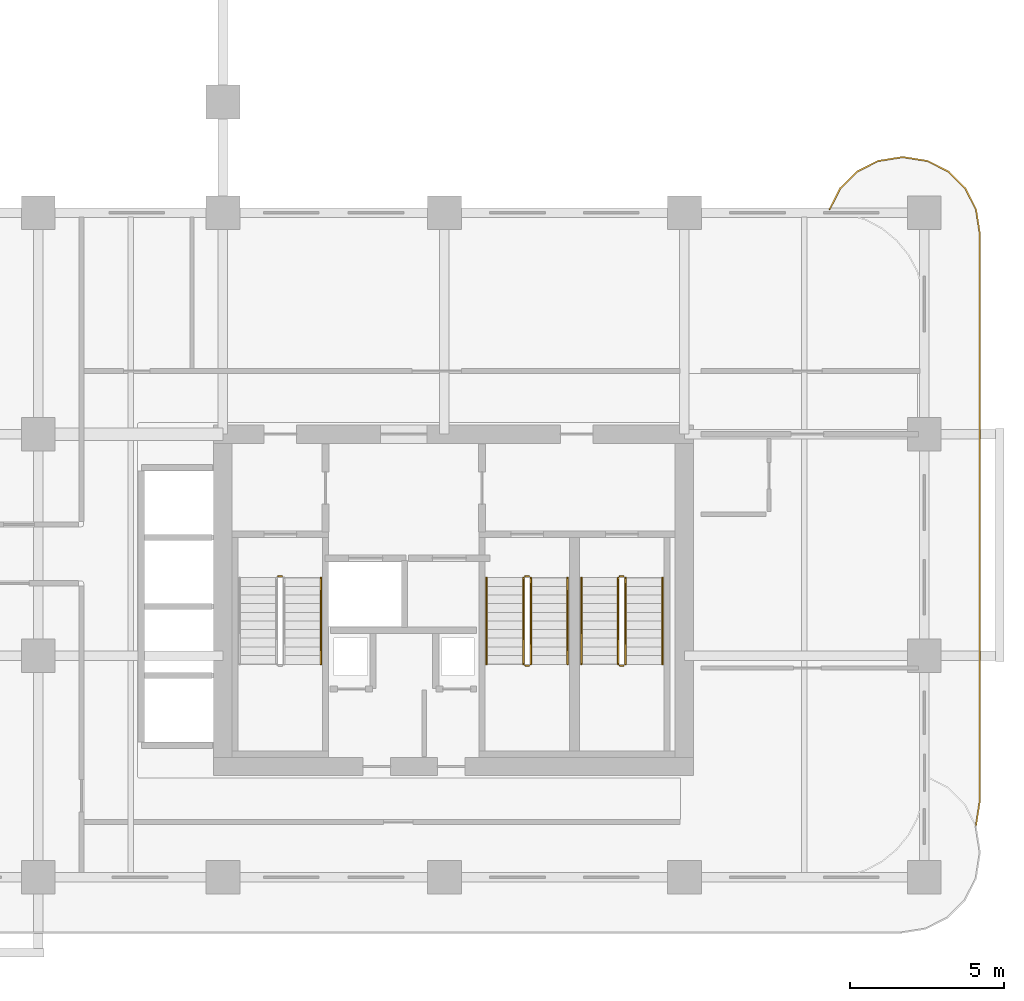
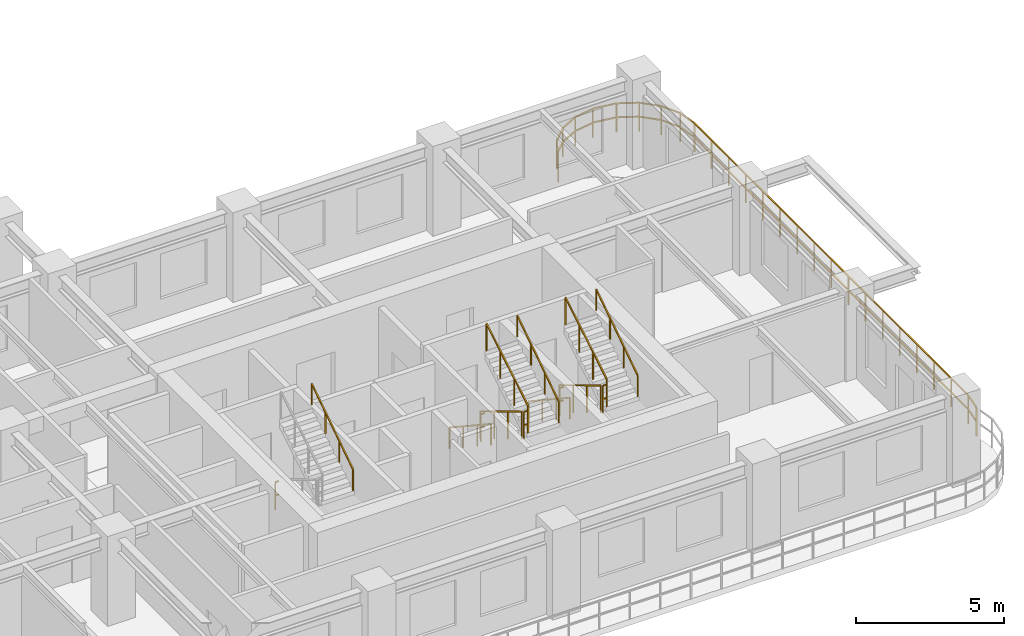
# One storey, part 16 of 18: 15 railings.
"""IFC4 building model written with IfcOpenShell, lengths in metres."""

from ifc_helpers import new_model, si_unit, derived_unit, direction, frame, origin, origin_2d, place, context, subcontext, project, spatial, rectangle, extrude, material, type_object, element, save


model = new_model("IFC4")

# Units and contexts
model_context = context("Model", 3, precision=1e-05, world=origin(), true_north=direction((0.0, 1.0)))
body_context = subcontext(model_context, "Body", "Model", "MODEL_VIEW")
ifc_project = project(units=[si_unit("LENGTHUNIT", "METRE"), si_unit("AREAUNIT", "SQUARE_METRE"), si_unit("VOLUMEUNIT", "CUBIC_METRE"), si_unit("PLANEANGLEUNIT", "RADIAN"), si_unit("MASSUNIT", "GRAM", prefix="KILO"), si_unit("THERMODYNAMICTEMPERATUREUNIT", "KELVIN"), si_unit("POWERUNIT", "WATT"), derived_unit("THERMALTRANSMITTANCEUNIT", [(si_unit("POWERUNIT", "WATT"), 1), (si_unit("AREAUNIT", "SQUARE_METRE"), -1), (si_unit("THERMODYNAMICTEMPERATUREUNIT", "KELVIN"), -1)])], contexts=[model_context])

# Site, building, storey
site_placement = place(None, origin())
site = spatial("IfcSite", under=ifc_project, at=site_placement, CompositionType="ELEMENT")
building_placement = place(site_placement, origin())
building = spatial("IfcBuilding", under=site, at=building_placement, Name="Zahravan Archway Hotel and Residences", CompositionType="ELEMENT")
storey_placement = place(building_placement, frame((0.0, 0.0, 58.300048828125)))
storey = spatial("IfcBuildingStorey", under=building, at=storey_placement, Name="L13", CompositionType="ELEMENT", Elevation=58.300048828125)

# Railings
ifc_material_1 = material(Name="Bronze & Laminated Glass Balustrade", Category="glass")
railing_type_1 = type_object("IfcRailingType", Name="RL-BAL-1200", PredefinedType="BALUSTRADE", material=ifc_material_1)
railing_1_placement = place(storey_placement, frame((54.52001953125, 21.70703125, 0.0)))
element("IfcRailing", 1, at=railing_1_placement, inside=storey, type_object=railing_type_1, Name="L13 Balustrade RL-SLB-BAL-L13-EA-1", PredefinedType="BALUSTRADE", context=body_context, shape_type="SweptSolid", body=[
    extrude(rectangle(XDim=0.048095703125, YDim=0.048095703125, at=origin_2d()), frame((0.0, 0.0, 1.17578125), z_axis=(0.453825591531, 0.891090529897, 0.0), x_axis=(-0.891090529897, 0.453825591531, 0.0)), (0.0, 0.0, 1.0), 0.7666015625),
    extrude(rectangle(XDim=0.048095703125, YDim=0.048095703125, at=origin_2d()), frame((0.0, 0.0, 0.60009765625), z_axis=(0.453825591531, 0.891090529897, 0.0), x_axis=(-0.891090529897, 0.453825591531, 0.0)), (0.0, 0.0, 1.0), 0.7666015625),
    extrude(rectangle(XDim=0.048095703125, YDim=0.048095703125, at=origin_2d()), frame((0.347900390625, 0.68310546875, 1.17578125), z_axis=(0.707106781187, 0.707106781187, 0.0), x_axis=(-0.707106781187, 0.707106781187, 0.0)), (0.0, 0.0, 1.0), 0.7666015625),
    extrude(rectangle(XDim=0.048095703125, YDim=0.048095703125, at=origin_2d()), frame((0.347900390625, 0.68310546875, 0.60009765625), z_axis=(0.707106781187, 0.707106781187, 0.0), x_axis=(-0.707106781187, 0.707106781187, 0.0)), (0.0, 0.0, 1.0), 0.7666015625),
    extrude(rectangle(XDim=0.048095703125, YDim=0.048095703125, at=origin_2d()), frame((0.889892578125, 1.22509765625, 1.17578125), z_axis=(0.891090529897, 0.453825591531, 0.0), x_axis=(-0.453825591531, 0.891090529897, 0.0)), (0.0, 0.0, 1.0), 0.7666015625),
    extrude(rectangle(XDim=0.048095703125, YDim=0.048095703125, at=origin_2d()), frame((0.889892578125, 1.22509765625, 0.60009765625), z_axis=(0.891090529897, 0.453825591531, 0.0), x_axis=(-0.453825591531, 0.891090529897, 0.0)), (0.0, 0.0, 1.0), 0.7666015625),
    extrude(rectangle(XDim=0.048095703125, YDim=0.048095703125, at=origin_2d()), frame((1.572998046875, 1.572998046875, 1.17578125), z_axis=(0.987695728695, 0.156387811283, 0.0), x_axis=(-0.156387811283, 0.987695728695, 0.0)), (0.0, 0.0, 1.0), 0.7666015625),
    extrude(rectangle(XDim=0.048095703125, YDim=0.048095703125, at=origin_2d()), frame((1.572998046875, 1.572998046875, 0.60009765625), z_axis=(0.987695728695, 0.156387811283, 0.0), x_axis=(-0.156387811283, 0.987695728695, 0.0)), (0.0, 0.0, 1.0), 0.7666015625),
    extrude(rectangle(XDim=0.048095703125, YDim=0.048095703125, at=origin_2d()), frame((2.330078125, 1.69287109375, 1.17578125), z_axis=(1.0, 0.0, 0.0), x_axis=(0.0, 1.0, 0.0)), (0.0, 0.0, 1.0), 0.099853515625),
    extrude(rectangle(XDim=0.048095703125, YDim=0.048095703125, at=origin_2d()), frame((2.330078125, 1.69287109375, 0.60009765625), z_axis=(1.0, 0.0, 0.0), x_axis=(0.0, 1.0, 0.0)), (0.0, 0.0, 1.0), 0.099853515625),
    extrude(rectangle(XDim=0.048095703125, YDim=0.048095703125, at=origin_2d()), frame((2.429931640625, 1.69287109375, 1.17578125), z_axis=(0.987695728695, -0.156387811283, 0.0), x_axis=(0.156387811283, 0.987695728695, 0.0)), (0.0, 0.0, 1.0), 0.7666015625),
    extrude(rectangle(XDim=0.048095703125, YDim=0.048095703125, at=origin_2d()), frame((2.429931640625, 1.69287109375, 0.60009765625), z_axis=(0.987695728695, -0.156387811283, 0.0), x_axis=(0.156387811283, 0.987695728695, 0.0)), (0.0, 0.0, 1.0), 0.7666015625),
    extrude(rectangle(XDim=0.048095703125, YDim=0.048095703125, at=origin_2d()), frame((3.18701171875, 1.572998046875, 1.17578125), z_axis=(0.891090529897, -0.453825591531, 0.0), x_axis=(0.453825591531, 0.891090529897, 0.0)), (0.0, 0.0, 1.0), 0.7666015625),
    extrude(rectangle(XDim=0.048095703125, YDim=0.048095703125, at=origin_2d()), frame((3.18701171875, 1.572998046875, 0.60009765625), z_axis=(0.891090529897, -0.453825591531, 0.0), x_axis=(0.453825591531, 0.891090529897, 0.0)), (0.0, 0.0, 1.0), 0.7666015625),
    extrude(rectangle(XDim=0.048095703125, YDim=0.048095703125, at=origin_2d()), frame((3.8701171875, 1.22509765625, 1.17578125), z_axis=(0.707106781187, -0.707106781187, 0.0), x_axis=(0.707106781187, 0.707106781187, 0.0)), (0.0, 0.0, 1.0), 0.7666015625),
    extrude(rectangle(XDim=0.048095703125, YDim=0.048095703125, at=origin_2d()), frame((3.8701171875, 1.22509765625, 0.60009765625), z_axis=(0.707106781187, -0.707106781187, 0.0), x_axis=(0.707106781187, 0.707106781187, 0.0)), (0.0, 0.0, 1.0), 0.7666015625),
    extrude(rectangle(XDim=0.048095703125, YDim=0.048095703125, at=origin_2d()), frame((4.412109375, 0.68310546875, 1.17578125), z_axis=(0.453825591531, -0.891090529897, 0.0), x_axis=(0.891090529897, 0.453825591531, 0.0)), (0.0, 0.0, 1.0), 0.7666015625),
    extrude(rectangle(XDim=0.048095703125, YDim=0.048095703125, at=origin_2d()), frame((4.412109375, 0.68310546875, 0.60009765625), z_axis=(0.453825591531, -0.891090529897, 0.0), x_axis=(0.891090529897, 0.453825591531, 0.0)), (0.0, 0.0, 1.0), 0.7666015625),
    extrude(rectangle(XDim=0.048095703125, YDim=0.048095703125, at=origin_2d()), frame((4.760009765625, 0.0, 1.17578125), z_axis=(0.156387811283, -0.987695728695, 0.0), x_axis=(0.987695728695, 0.156387811283, 0.0)), (0.0, 0.0, 1.0), 0.7666015625),
    extrude(rectangle(XDim=0.048095703125, YDim=0.048095703125, at=origin_2d()), frame((4.760009765625, 0.0, 0.60009765625), z_axis=(0.156387811283, -0.987695728695, 0.0), x_axis=(0.987695728695, 0.156387811283, 0.0)), (0.0, 0.0, 1.0), 0.7666015625),
    extrude(rectangle(XDim=0.048095703125, YDim=0.048095703125, at=origin_2d()), frame((4.8798828125, -0.757080078125, 1.17578125), z_axis=(0.0, -1.0, 0.0), x_axis=(1.0, 0.0, 0.0)), (0.0, 0.0, 1.0), 18.5),
    extrude(rectangle(XDim=0.048095703125, YDim=0.048095703125, at=origin_2d()), frame((4.8798828125, -0.757080078125, 0.60009765625), z_axis=(0.0, -1.0, 0.0), x_axis=(1.0, 0.0, 0.0)), (0.0, 0.0, 1.0), 18.5),
    extrude(rectangle(XDim=0.048095703125, YDim=0.048095703125, at=origin_2d()), frame((4.8798828125, -19.257080078125, 1.17578125), z_axis=(-0.156387811283, -0.987695728695, 0.0), x_axis=(0.987695728695, -0.156387811283, 0.0)), (0.0, 0.0, 1.0), 0.7666015625),
    extrude(rectangle(XDim=0.048095703125, YDim=0.048095703125, at=origin_2d()), frame((4.8798828125, -19.257080078125, 0.60009765625), z_axis=(-0.156387811283, -0.987695728695, 0.0), x_axis=(0.987695728695, -0.156387811283, 0.0)), (0.0, 0.0, 1.0), 0.7666015625),
    extrude(rectangle(XDim=0.0419921875, YDim=0.0419921875, at=origin_2d()), origin(), (0.0, 0.0, 1.0), 1.15185546875),
    extrude(rectangle(XDim=0.0419921875, YDim=0.0419921875, at=origin_2d()), frame((0.347900390625, 0.68310546875, 0.0)), (0.0, 0.0, 1.0), 1.15185546875),
    extrude(rectangle(XDim=0.0419921875, YDim=0.0419921875, at=origin_2d()), frame((0.889892578125, 1.22509765625, 0.0)), (0.0, 0.0, 1.0), 1.15185546875),
    extrude(rectangle(XDim=0.0419921875, YDim=0.0419921875, at=origin_2d()), frame((1.572998046875, 1.572998046875, 0.0)), (0.0, 0.0, 1.0), 1.15185546875),
    extrude(rectangle(XDim=0.0419921875, YDim=0.0419921875, at=origin_2d()), frame((2.330078125, 1.69287109375, 0.0)), (0.0, 0.0, 1.0), 1.15185546875),
    extrude(rectangle(XDim=0.0419921875, YDim=0.0419921875, at=origin_2d()), frame((3.18701171875, 1.572998046875, 0.0)), (0.0, 0.0, 1.0), 1.15185546875),
    extrude(rectangle(XDim=0.0419921875, YDim=0.0419921875, at=origin_2d()), frame((3.8701171875, 1.22509765625, 0.0)), (0.0, 0.0, 1.0), 1.15185546875),
    extrude(rectangle(XDim=0.0419921875, YDim=0.0419921875, at=origin_2d()), frame((4.412109375, 0.68310546875, 0.0)), (0.0, 0.0, 1.0), 1.15185546875),
    extrude(rectangle(XDim=0.0419921875, YDim=0.0419921875, at=origin_2d()), frame((4.760009765625, 0.0, 0.0)), (0.0, 0.0, 1.0), 1.15185546875),
    extrude(rectangle(XDim=0.0419921875, YDim=0.0419921875, at=origin_2d()), frame((4.8798828125, -0.757080078125, 0.0)), (0.0, 0.0, 1.0), 1.15185546875),
    extrude(rectangle(XDim=0.0419921875, YDim=0.0419921875, at=origin_2d()), frame((4.8798828125, -1.913330078125, 0.0)), (0.0, 0.0, 1.0), 1.15185546875),
    extrude(rectangle(XDim=0.0419921875, YDim=0.0419921875, at=origin_2d()), frame((4.8798828125, -3.069580078125, 0.0)), (0.0, 0.0, 1.0), 1.15185546875),
    extrude(rectangle(XDim=0.0419921875, YDim=0.0419921875, at=origin_2d()), frame((4.8798828125, -4.225830078125, 0.0)), (0.0, 0.0, 1.0), 1.15185546875),
    extrude(rectangle(XDim=0.0419921875, YDim=0.0419921875, at=origin_2d()), frame((4.8798828125, -5.382080078125, 0.0)), (0.0, 0.0, 1.0), 1.15185546875),
    extrude(rectangle(XDim=0.0419921875, YDim=0.0419921875, at=origin_2d()), frame((4.8798828125, -6.538330078125, 0.0)), (0.0, 0.0, 1.0), 1.15185546875),
    extrude(rectangle(XDim=0.0419921875, YDim=0.0419921875, at=origin_2d()), frame((4.8798828125, -7.694580078125, 0.0)), (0.0, 0.0, 1.0), 1.15185546875),
    extrude(rectangle(XDim=0.0419921875, YDim=0.0419921875, at=origin_2d()), frame((4.8798828125, -8.850830078125, 0.0)), (0.0, 0.0, 1.0), 1.15185546875),
    extrude(rectangle(XDim=0.0419921875, YDim=0.0419921875, at=origin_2d()), frame((4.8798828125, -10.007080078125, 0.0)), (0.0, 0.0, 1.0), 1.15185546875),
    extrude(rectangle(XDim=0.0419921875, YDim=0.0419921875, at=origin_2d()), frame((4.8798828125, -11.163330078125, 0.0)), (0.0, 0.0, 1.0), 1.15185546875),
    extrude(rectangle(XDim=0.0419921875, YDim=0.0419921875, at=origin_2d()), frame((4.8798828125, -12.319580078125, 0.0)), (0.0, 0.0, 1.0), 1.15185546875),
    extrude(rectangle(XDim=0.0419921875, YDim=0.0419921875, at=origin_2d()), frame((4.8798828125, -13.475830078125, 0.0)), (0.0, 0.0, 1.0), 1.15185546875),
    extrude(rectangle(XDim=0.0419921875, YDim=0.0419921875, at=origin_2d()), frame((4.8798828125, -14.632080078125, 0.0)), (0.0, 0.0, 1.0), 1.15185546875),
    extrude(rectangle(XDim=0.0419921875, YDim=0.0419921875, at=origin_2d()), frame((4.8798828125, -15.788330078125, 0.0)), (0.0, 0.0, 1.0), 1.15185546875),
    extrude(rectangle(XDim=0.0419921875, YDim=0.0419921875, at=origin_2d()), frame((4.8798828125, -16.944580078125, 0.0)), (0.0, 0.0, 1.0), 1.15185546875),
    extrude(rectangle(XDim=0.0419921875, YDim=0.0419921875, at=origin_2d()), frame((4.8798828125, -18.100830078125, 0.0)), (0.0, 0.0, 1.0), 1.15185546875),
    extrude(rectangle(XDim=0.0419921875, YDim=0.0419921875, at=origin_2d()), frame((4.8798828125, -19.257080078125, 0.0)), (0.0, 0.0, 1.0), 1.15185546875),
    extrude(rectangle(XDim=0.0419921875, YDim=0.0419921875, at=origin_2d()), frame((4.760009765625, -20.01416015625, 0.0)), (0.0, 0.0, 1.0), 1.15185546875),
])
ifc_material_2 = material(Name="Painted Tubular Steel", Category="steel")
railing_type_2 = type_object("IfcRailingType", Name="RL-STG-1150", PredefinedType="GUARDRAIL", material=ifc_material_2)
railing_2_placement = place(storey_placement, frame((36.60009765625, 9.780029296875, 0.0)))
element("IfcRailing", 2, at=railing_2_placement, inside=storey, type_object=railing_type_2, Name="L13 ST-A1 stair guard 4", PredefinedType="GUARDRAIL", context=body_context, shape_type="SweptSolid", body=[
    extrude(rectangle(XDim=0.048095703125, YDim=0.048095703125, at=origin_2d()), frame((0.0, 0.0, 1.1259765625), z_axis=(1.0, 0.0, 0.0), x_axis=(0.0, 1.0, 0.0)), (0.0, 0.0, 1.0), 0.139892578125),
    extrude(rectangle(XDim=0.048095703125, YDim=0.048095703125, at=origin_2d()), frame((0.0, 0.0, 0.574951171875), z_axis=(1.0, 0.0, 0.0), x_axis=(0.0, 1.0, 0.0)), (0.0, 0.0, 1.0), 0.139892578125),
    extrude(rectangle(XDim=0.0419921875, YDim=0.0419921875, at=origin_2d()), origin(), (0.0, 0.0, 1.0), 1.101806640625),
])
railing_3_placement = place(storey_placement, frame((44.570068359375, 9.72998046875, 0.168212890625)))
element("IfcRailing", 3, at=railing_3_placement, inside=storey, type_object=railing_type_2, Name="L13 ST-A2 stair guard 1", PredefinedType="GUARDRAIL", context=body_context, shape_type="SweptSolid", body=[
    extrude(rectangle(XDim=0.048095703125, YDim=0.048095703125, at=origin_2d()), frame((0.0, 0.0, 1.1259765625), z_axis=(0.0, -0.857275202839, 0.514858452973), x_axis=(1.0, 0.0, 0.0)), (0.0, 0.0, 1.0), 3.26611328125),
    extrude(rectangle(XDim=0.0419921875, YDim=0.0419921875, at=origin_2d()), origin(), (0.0, 0.0, 1.0), 1.101806640625),
    extrude(rectangle(XDim=0.0419921875, YDim=0.0419921875, at=origin_2d()), frame((0.0, -0.933349609375, 0.560546875)), (0.0, 0.0, 1.0), 1.101806640625),
    extrude(rectangle(XDim=0.0419921875, YDim=0.0419921875, at=origin_2d()), frame((0.0, -1.86669921875, 1.12109375)), (0.0, 0.0, 1.0), 1.101806640625),
    extrude(rectangle(XDim=0.0419921875, YDim=0.0419921875, at=origin_2d()), frame((0.0, -2.800048828125, 1.681640625)), (0.0, 0.0, 1.0), 1.101806640625),
])
railing_4_placement = place(storey_placement, frame((44.6201171875, 6.8798828125, 1.849853515625)))
element("IfcRailing", 4, at=railing_4_placement, inside=storey, type_object=railing_type_2, Name="L13 ST-A2 stair guard 2", PredefinedType="GUARDRAIL", context=body_context, shape_type="SweptSolid", body=[
    extrude(rectangle(XDim=0.048095703125, YDim=0.048095703125, at=origin_2d()), frame((0.0, 0.0, 1.1259765625), z_axis=(1.0, 0.0, 0.0), x_axis=(0.0, 1.0, 0.0)), (0.0, 0.0, 1.0), 0.139892578125),
    extrude(rectangle(XDim=0.048095703125, YDim=0.048095703125, at=origin_2d()), frame((0.0, 0.0, 0.574951171875), z_axis=(1.0, 0.0, 0.0), x_axis=(0.0, 1.0, 0.0)), (0.0, 0.0, 1.0), 0.139892578125),
    extrude(rectangle(XDim=0.0419921875, YDim=0.0419921875, at=origin_2d()), origin(), (0.0, 0.0, 1.0), 1.101806640625),
])
railing_5_placement = place(storey_placement, frame((44.81005859375, 6.929931640625, 2.01806640625)))
element("IfcRailing", 5, at=railing_5_placement, inside=storey, type_object=railing_type_2, Name="L13 ST-A2 stair guard 3", PredefinedType="GUARDRAIL", context=body_context, shape_type="SweptSolid", body=[
    extrude(rectangle(XDim=0.048095703125, YDim=0.048095703125, at=origin_2d()), frame((0.0, 0.0, 1.1259765625), z_axis=(0.0, 0.857242210791, 0.514913383045), x_axis=(-1.0, 0.0, 0.0)), (0.0, 0.0, 1.0), 3.266357421875),
    extrude(rectangle(XDim=0.0419921875, YDim=0.0419921875, at=origin_2d()), origin(), (0.0, 0.0, 1.0), 1.101806640625),
    extrude(rectangle(XDim=0.0419921875, YDim=0.0419921875, at=origin_2d()), frame((0.0, 0.933349609375, 0.560546875)), (0.0, 0.0, 1.0), 1.101806640625),
    extrude(rectangle(XDim=0.0419921875, YDim=0.0419921875, at=origin_2d()), frame((0.0, 1.86669921875, 1.121337890625)), (0.0, 0.0, 1.0), 1.101806640625),
    extrude(rectangle(XDim=0.0419921875, YDim=0.0419921875, at=origin_2d()), frame((0.0, 2.800048828125, 1.681884765625)), (0.0, 0.0, 1.0), 1.101806640625),
])
railing_6_placement = place(storey_placement, frame((44.6201171875, 9.780029296875, 0.0)))
element("IfcRailing", 6, at=railing_6_placement, inside=storey, type_object=railing_type_2, Name="L13 ST-A2 stair guard 4", PredefinedType="GUARDRAIL", context=body_context, shape_type="SweptSolid", body=[
    extrude(rectangle(XDim=0.048095703125, YDim=0.048095703125, at=origin_2d()), frame((0.0, 0.0, 1.1259765625), z_axis=(1.0, 0.0, 0.0), x_axis=(0.0, 1.0, 0.0)), (0.0, 0.0, 1.0), 0.139892578125),
    extrude(rectangle(XDim=0.048095703125, YDim=0.048095703125, at=origin_2d()), frame((0.0, 0.0, 0.574951171875), z_axis=(1.0, 0.0, 0.0), x_axis=(0.0, 1.0, 0.0)), (0.0, 0.0, 1.0), 0.139892578125),
    extrude(rectangle(XDim=0.0419921875, YDim=0.0419921875, at=origin_2d()), origin(), (0.0, 0.0, 1.0), 1.101806640625),
])
railing_7_placement = place(storey_placement, frame((47.64990234375, 9.72998046875, 0.168212890625)))
element("IfcRailing", 7, at=railing_7_placement, inside=storey, type_object=railing_type_2, Name="L13 ST-A3 stair guard 1", PredefinedType="GUARDRAIL", context=body_context, shape_type="SweptSolid", body=[
    extrude(rectangle(XDim=0.048095703125, YDim=0.048095703125, at=origin_2d()), frame((0.0, 0.0, 1.1259765625), z_axis=(0.0, -0.857275202839, 0.514858452973), x_axis=(1.0, 0.0, 0.0)), (0.0, 0.0, 1.0), 3.26611328125),
    extrude(rectangle(XDim=0.0419921875, YDim=0.0419921875, at=origin_2d()), origin(), (0.0, 0.0, 1.0), 1.101806640625),
    extrude(rectangle(XDim=0.0419921875, YDim=0.0419921875, at=origin_2d()), frame((0.0, -0.933349609375, 0.560546875)), (0.0, 0.0, 1.0), 1.101806640625),
    extrude(rectangle(XDim=0.0419921875, YDim=0.0419921875, at=origin_2d()), frame((0.0, -1.86669921875, 1.12109375)), (0.0, 0.0, 1.0), 1.101806640625),
    extrude(rectangle(XDim=0.0419921875, YDim=0.0419921875, at=origin_2d()), frame((0.0, -2.800048828125, 1.681640625)), (0.0, 0.0, 1.0), 1.101806640625),
])
railing_8_placement = place(storey_placement, frame((47.699951171875, 6.8798828125, 1.849853515625)))
element("IfcRailing", 8, at=railing_8_placement, inside=storey, type_object=railing_type_2, Name="L13 ST-A3 stair guard 2", PredefinedType="GUARDRAIL", context=body_context, shape_type="SweptSolid", body=[
    extrude(rectangle(XDim=0.048095703125, YDim=0.048095703125, at=origin_2d()), frame((0.0, 0.0, 1.1259765625), z_axis=(1.0, 0.0, 0.0), x_axis=(0.0, 1.0, 0.0)), (0.0, 0.0, 1.0), 0.14013671875),
    extrude(rectangle(XDim=0.048095703125, YDim=0.048095703125, at=origin_2d()), frame((0.0, 0.0, 0.574951171875), z_axis=(1.0, 0.0, 0.0), x_axis=(0.0, 1.0, 0.0)), (0.0, 0.0, 1.0), 0.14013671875),
    extrude(rectangle(XDim=0.0419921875, YDim=0.0419921875, at=origin_2d()), origin(), (0.0, 0.0, 1.0), 1.101806640625),
])
railing_9_placement = place(storey_placement, frame((47.889892578125, 6.929931640625, 2.01806640625)))
element("IfcRailing", 9, at=railing_9_placement, inside=storey, type_object=railing_type_2, Name="L13 ST-A3 stair guard 3", PredefinedType="GUARDRAIL", context=body_context, shape_type="SweptSolid", body=[
    extrude(rectangle(XDim=0.048095703125, YDim=0.048095703125, at=origin_2d()), frame((0.0, 0.0, 1.1259765625), z_axis=(0.0, 0.857242210791, 0.514913383045), x_axis=(-1.0, 0.0, 0.0)), (0.0, 0.0, 1.0), 3.266357421875),
    extrude(rectangle(XDim=0.0419921875, YDim=0.0419921875, at=origin_2d()), origin(), (0.0, 0.0, 1.0), 1.101806640625),
    extrude(rectangle(XDim=0.0419921875, YDim=0.0419921875, at=origin_2d()), frame((0.0, 0.933349609375, 0.560546875)), (0.0, 0.0, 1.0), 1.101806640625),
    extrude(rectangle(XDim=0.0419921875, YDim=0.0419921875, at=origin_2d()), frame((0.0, 1.86669921875, 1.121337890625)), (0.0, 0.0, 1.0), 1.101806640625),
    extrude(rectangle(XDim=0.0419921875, YDim=0.0419921875, at=origin_2d()), frame((0.0, 2.800048828125, 1.681884765625)), (0.0, 0.0, 1.0), 1.101806640625),
])
railing_10_placement = place(storey_placement, frame((47.699951171875, 9.780029296875, 0.0)))
element("IfcRailing", 10, at=railing_10_placement, inside=storey, type_object=railing_type_2, Name="L13 ST-A3 stair guard 4", PredefinedType="GUARDRAIL", context=body_context, shape_type="SweptSolid", body=[
    extrude(rectangle(XDim=0.048095703125, YDim=0.048095703125, at=origin_2d()), frame((0.0, 0.0, 1.1259765625), z_axis=(1.0, 0.0, 0.0), x_axis=(0.0, 1.0, 0.0)), (0.0, 0.0, 1.0), 0.14013671875),
    extrude(rectangle(XDim=0.048095703125, YDim=0.048095703125, at=origin_2d()), frame((0.0, 0.0, 0.574951171875), z_axis=(1.0, 0.0, 0.0), x_axis=(0.0, 1.0, 0.0)), (0.0, 0.0, 1.0), 0.14013671875),
    extrude(rectangle(XDim=0.0419921875, YDim=0.0419921875, at=origin_2d()), origin(), (0.0, 0.0, 1.0), 1.101806640625),
])
ifc_material_3 = material(Name="Brushed Stainless Steel", Category="steel")
railing_type_3 = type_object("IfcRailingType", Name="RL-STH-900", PredefinedType="HANDRAIL", material=ifc_material_3)
railing_11_placement = place(storey_placement, frame((37.989990234375, 6.929931640625, 2.01806640625)))
element("IfcRailing", 11, at=railing_11_placement, inside=storey, type_object=railing_type_3, Name="L13 ST-A1 stair handrail 2", PredefinedType="HANDRAIL", context=body_context, shape_type="SweptSolid", body=[
    extrude(rectangle(XDim=0.048095703125, YDim=0.048095703125, at=origin_2d()), frame((0.0, 0.0, 0.8759765625), z_axis=(0.0, 0.834326358476, 0.551270829586), x_axis=(-1.0, 0.0, 0.0)), (0.0, 0.0, 1.0), 3.35595703125),
    extrude(rectangle(XDim=0.0419921875, YDim=0.0419921875, at=origin_2d()), origin(), (0.0, 0.0, 1.0), 0.851806640625),
    extrude(rectangle(XDim=0.0419921875, YDim=0.0419921875, at=origin_2d()), frame((0.0, 0.933349609375, 0.61669921875)), (0.0, 0.0, 1.0), 0.851806640625),
    extrude(rectangle(XDim=0.0419921875, YDim=0.0419921875, at=origin_2d()), frame((0.0, 1.86669921875, 1.2333984375)), (0.0, 0.0, 1.0), 0.851806640625),
    extrude(rectangle(XDim=0.0419921875, YDim=0.0419921875, at=origin_2d()), frame((0.0, 2.800048828125, 1.85009765625)), (0.0, 0.0, 1.0), 0.851806640625),
])
railing_12_placement = place(storey_placement, frame((43.3701171875, 9.72998046875, 0.168212890625)))
element("IfcRailing", 12, at=railing_12_placement, inside=storey, type_object=railing_type_3, Name="L13 ST-A2 stair handrail 1", PredefinedType="HANDRAIL", context=body_context, shape_type="SweptSolid", body=[
    extrude(rectangle(XDim=0.048095703125, YDim=0.048095703125, at=origin_2d()), frame((0.0, 0.0, 0.8759765625), z_axis=(0.0, -0.83435981716, 0.551220187865), x_axis=(1.0, 0.0, 0.0)), (0.0, 0.0, 1.0), 3.35595703125),
    extrude(rectangle(XDim=0.0419921875, YDim=0.0419921875, at=origin_2d()), origin(), (0.0, 0.0, 1.0), 0.851806640625),
    extrude(rectangle(XDim=0.0419921875, YDim=0.0419921875, at=origin_2d()), frame((0.0, -0.933349609375, 0.61669921875)), (0.0, 0.0, 1.0), 0.851806640625),
    extrude(rectangle(XDim=0.0419921875, YDim=0.0419921875, at=origin_2d()), frame((0.0, -1.86669921875, 1.233154296875)), (0.0, 0.0, 1.0), 0.851806640625),
    extrude(rectangle(XDim=0.0419921875, YDim=0.0419921875, at=origin_2d()), frame((0.0, -2.800048828125, 1.849853515625)), (0.0, 0.0, 1.0), 0.851806640625),
])
railing_13_placement = place(storey_placement, frame((46.010009765625, 6.929931640625, 2.01806640625)))
element("IfcRailing", 13, at=railing_13_placement, inside=storey, type_object=railing_type_3, Name="L13 ST-A2 stair handrail 2", PredefinedType="HANDRAIL", context=body_context, shape_type="SweptSolid", body=[
    extrude(rectangle(XDim=0.048095703125, YDim=0.048095703125, at=origin_2d()), frame((0.0, 0.0, 0.8759765625), z_axis=(0.0, 0.834326358476, 0.551270829586), x_axis=(-1.0, 0.0, 0.0)), (0.0, 0.0, 1.0), 3.35595703125),
    extrude(rectangle(XDim=0.0419921875, YDim=0.0419921875, at=origin_2d()), origin(), (0.0, 0.0, 1.0), 0.851806640625),
    extrude(rectangle(XDim=0.0419921875, YDim=0.0419921875, at=origin_2d()), frame((0.0, 0.933349609375, 0.61669921875)), (0.0, 0.0, 1.0), 0.851806640625),
    extrude(rectangle(XDim=0.0419921875, YDim=0.0419921875, at=origin_2d()), frame((0.0, 1.86669921875, 1.2333984375)), (0.0, 0.0, 1.0), 0.851806640625),
    extrude(rectangle(XDim=0.0419921875, YDim=0.0419921875, at=origin_2d()), frame((0.0, 2.800048828125, 1.85009765625)), (0.0, 0.0, 1.0), 0.851806640625),
])
railing_14_placement = place(storey_placement, frame((46.449951171875, 9.72998046875, 0.168212890625)))
element("IfcRailing", 14, at=railing_14_placement, inside=storey, type_object=railing_type_3, Name="L13 ST-A3 stair handrail 1", PredefinedType="HANDRAIL", context=body_context, shape_type="SweptSolid", body=[
    extrude(rectangle(XDim=0.048095703125, YDim=0.048095703125, at=origin_2d()), frame((0.0, 0.0, 0.8759765625), z_axis=(0.0, -0.83435981716, 0.551220187865), x_axis=(1.0, 0.0, 0.0)), (0.0, 0.0, 1.0), 3.35595703125),
    extrude(rectangle(XDim=0.0419921875, YDim=0.0419921875, at=origin_2d()), origin(), (0.0, 0.0, 1.0), 0.851806640625),
    extrude(rectangle(XDim=0.0419921875, YDim=0.0419921875, at=origin_2d()), frame((0.0, -0.933349609375, 0.61669921875)), (0.0, 0.0, 1.0), 0.851806640625),
    extrude(rectangle(XDim=0.0419921875, YDim=0.0419921875, at=origin_2d()), frame((0.0, -1.86669921875, 1.233154296875)), (0.0, 0.0, 1.0), 0.851806640625),
    extrude(rectangle(XDim=0.0419921875, YDim=0.0419921875, at=origin_2d()), frame((0.0, -2.800048828125, 1.849853515625)), (0.0, 0.0, 1.0), 0.851806640625),
])
railing_15_placement = place(storey_placement, frame((49.090087890625, 6.929931640625, 2.01806640625)))
element("IfcRailing", 15, at=railing_15_placement, inside=storey, type_object=railing_type_3, Name="L13 ST-A3 stair handrail 2", PredefinedType="HANDRAIL", context=body_context, shape_type="SweptSolid", body=[
    extrude(rectangle(XDim=0.048095703125, YDim=0.048095703125, at=origin_2d()), frame((0.0, 0.0, 0.8759765625), z_axis=(0.0, 0.834326358476, 0.551270829586), x_axis=(-1.0, 0.0, 0.0)), (0.0, 0.0, 1.0), 3.35595703125),
    extrude(rectangle(XDim=0.0419921875, YDim=0.0419921875, at=origin_2d()), origin(), (0.0, 0.0, 1.0), 0.851806640625),
    extrude(rectangle(XDim=0.0419921875, YDim=0.0419921875, at=origin_2d()), frame((0.0, 0.933349609375, 0.61669921875)), (0.0, 0.0, 1.0), 0.851806640625),
    extrude(rectangle(XDim=0.0419921875, YDim=0.0419921875, at=origin_2d()), frame((0.0, 1.86669921875, 1.2333984375)), (0.0, 0.0, 1.0), 0.851806640625),
    extrude(rectangle(XDim=0.0419921875, YDim=0.0419921875, at=origin_2d()), frame((0.0, 2.800048828125, 1.85009765625)), (0.0, 0.0, 1.0), 0.851806640625),
])

save(model, "model.ifc")
